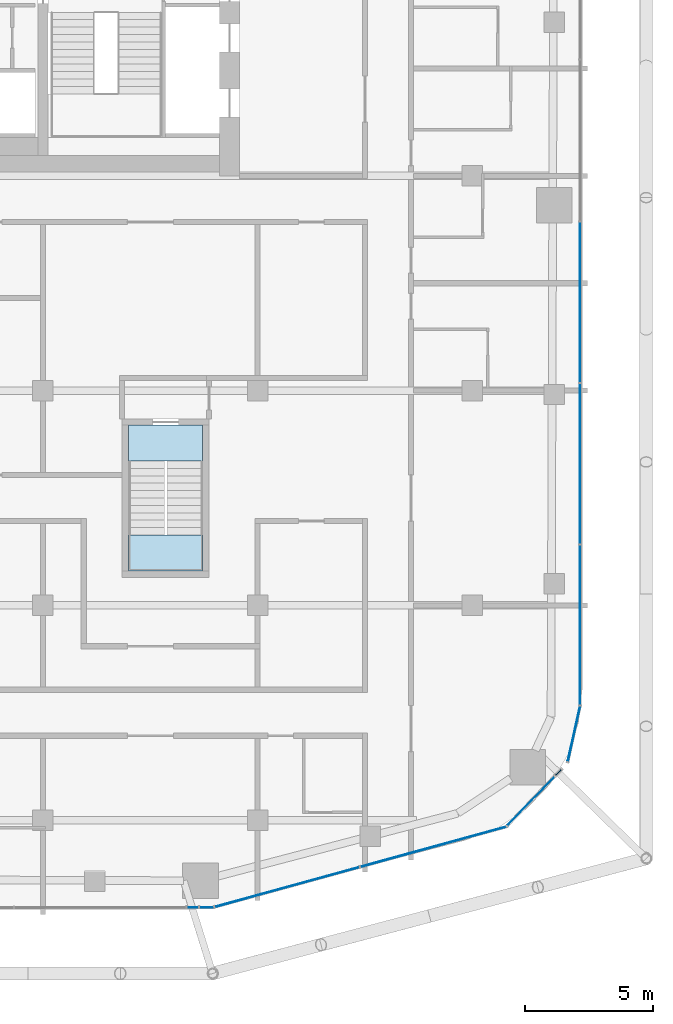
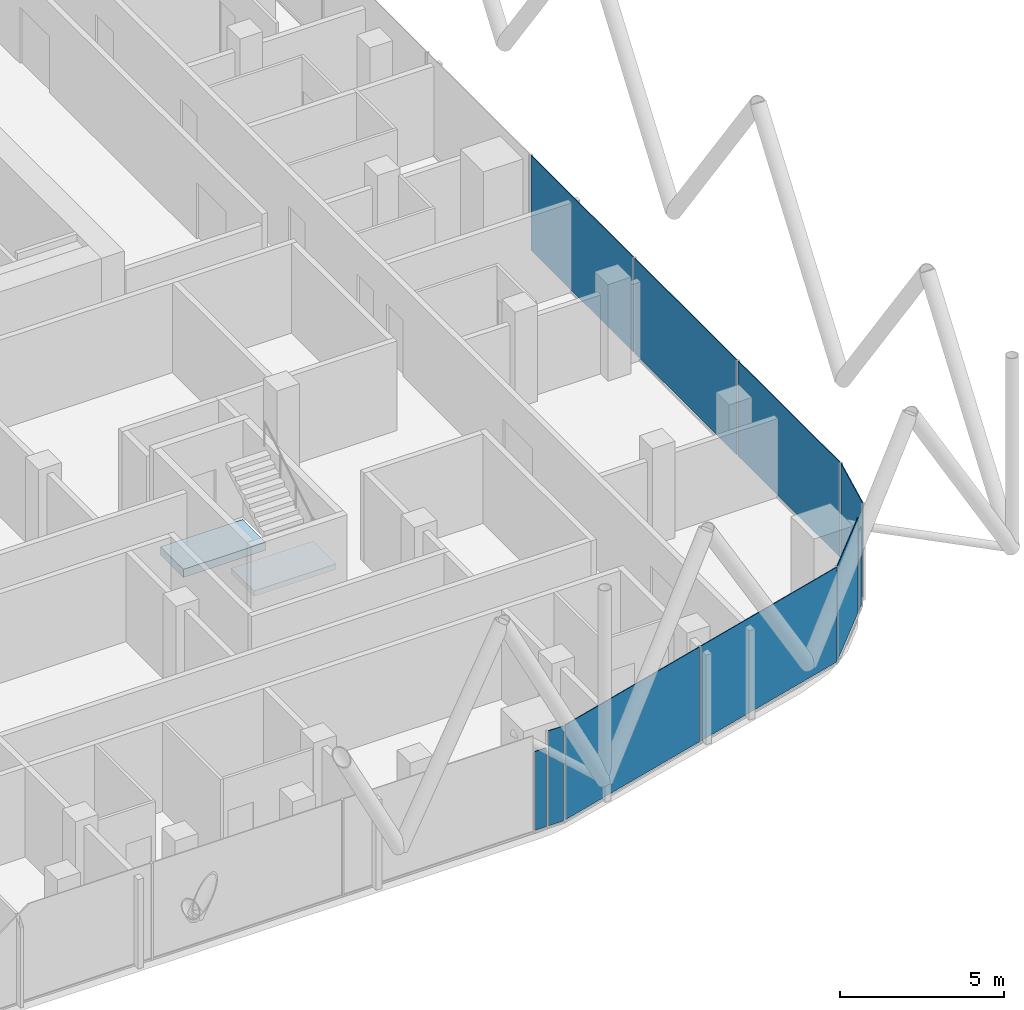
# One storey, part 16 of 28: 10 plates, 2 slabs, 8 elements without a shape of their own.
"""IFC4 building model written with IfcOpenShell, lengths in metres."""

from ifc_helpers import new_model, si_unit, direction, frame, origin, origin_2d, place, context, subcontext, project, spatial, polyline, rectangle, outline, extrude, material, layer, layer_set, type_object, element, aggregate, save


model = new_model("IFC4")

# Units and contexts
model_context = context("Model", 3, precision=1e-05, world=origin(), true_north=direction((0.0, 1.0)))
body_context = subcontext(model_context, "Body", "Model", "MODEL_VIEW")
ifc_project = project(units=[si_unit("LENGTHUNIT", "METRE"), si_unit("AREAUNIT", "SQUARE_METRE"), si_unit("VOLUMEUNIT", "CUBIC_METRE"), si_unit("PLANEANGLEUNIT", "RADIAN"), si_unit("MASSUNIT", "GRAM", prefix="KILO")], contexts=[model_context])

# Site, building, storey
site_placement = place(None, origin())
site = spatial("IfcSite", under=ifc_project, at=site_placement, CompositionType="ELEMENT")
building_placement = place(site_placement, origin())
building = spatial("IfcBuilding", under=site, at=building_placement, Name="Marenta Gate Hotel Tower", CompositionType="ELEMENT")
storey_placement = place(building_placement, frame((0.0, 0.0, 241.699951171875)))
storey = spatial("IfcBuildingStorey", under=building, at=storey_placement, Name="L57", CompositionType="ELEMENT", Elevation=241.699951171875)

# Curtain wall, plate
ifc_material_1 = material(Name="Tinted insulated glass in bronze anodised frame", Category="glass")
ifc_layer_1 = layer(ifc_material_1, 0.1201171875)
ifc_layer_set_1 = layer_set([ifc_layer_1], Name="Tinted insulated glass in bronze anodised frame")
curtain_wall_type = type_object("IfcCurtainWallType", Name="Tower unitised curtain wall CW1", PredefinedType="NOTDEFINED", material=ifc_layer_set_1)
curtain_wall_1_placement = place(storey_placement, origin())
curtain_wall_1 = element("IfcCurtainWall", 1, at=curtain_wall_1_placement, inside=storey, type_object=curtain_wall_type, Name="CW1 run G13", PredefinedType="NOTDEFINED")
ifc_material_2 = material(Name="Tinted insulated glass", Category="glass")
ifc_layer_2 = layer(ifc_material_2, 0.028076171875)
ifc_layer_set_2 = layer_set([ifc_layer_2], Name="Tinted insulated glass")
plate_type = type_object("IfcPlateType", Name="Glass panel CW1 28 mm tinted insulated unit", PredefinedType="CURTAIN_PANEL", material=ifc_layer_set_2)
plate_1_placement = place(storey_placement, frame((10.06201171875, -28.614013671875, 0.06005859375), z_axis=(0.0, 0.0, 1.0), x_axis=(0.999998577531, 0.001686693784, 0.0)))
plate_1 = element("IfcPlate", 2, at=plate_1_placement, type_object=plate_type, Name="CW1 panel 1.1", PredefinedType="CURTAIN_PANEL", context=body_context, shape_type="SweptSolid", body=[
    extrude(rectangle(XDim=0.414306640625, YDim=0.028076171875, at=origin_2d()), origin(), (0.0, 0.0, 1.0), 2.9404296875),
])
aggregate(curtain_wall_1, [plate_1])

curtain_wall_2_placement = place(storey_placement, origin())
curtain_wall_2 = element("IfcCurtainWall", 3, at=curtain_wall_2_placement, inside=storey, type_object=curtain_wall_type, Name="CW1 run G14", PredefinedType="NOTDEFINED")
plate_2_placement = place(storey_placement, frame((10.601318359375, -28.613037109375, 0.06005859375), z_axis=(0.0, 0.0, 1.0), x_axis=(0.999998631715, 0.001654257461, 0.0)))
plate_2 = element("IfcPlate", 4, at=plate_2_placement, type_object=plate_type, Name="CW1 panel 1.1", PredefinedType="CURTAIN_PANEL", context=body_context, shape_type="SweptSolid", body=[
    extrude(rectangle(XDim=0.54443359375, YDim=0.028076171875, at=origin_2d()), origin(), (0.0, 0.0, 1.0), 3.5400390625),
])
aggregate(curtain_wall_2, [plate_2])

# Curtain wall, plates
curtain_wall_3_placement = place(storey_placement, origin())
curtain_wall_3 = element("IfcCurtainWall", 5, at=curtain_wall_3_placement, inside=storey, type_object=curtain_wall_type, Name="CW1 run G15", PredefinedType="NOTDEFINED")
plate_3_placement = place(storey_placement, frame((13.7509765625, -27.82080078125, 0.06005859375), z_axis=(0.0, 0.0, 1.0), x_axis=(0.964167765212, 0.265293272675, 0.0)))
plate_3 = element("IfcPlate", 6, at=plate_3_placement, type_object=plate_type, Name="CW1 panel 1.1", PredefinedType="CURTAIN_PANEL", context=body_context, shape_type="SweptSolid", body=[
    extrude(rectangle(XDim=5.848388671875, YDim=0.028076171875, at=origin_2d()), origin(), (0.0, 0.0, 1.0), 3.5400390625),
])
plate_4_placement = place(storey_placement, frame((19.4765625, -26.245361328125, 0.06005859375), z_axis=(0.0, 0.0, 1.0), x_axis=(0.964167765212, 0.265293272675, 0.0)))
plate_4 = element("IfcPlate", 7, at=plate_4_placement, type_object=plate_type, Name="CW1 panel 2.1", PredefinedType="CURTAIN_PANEL", context=body_context, shape_type="SweptSolid", body=[
    extrude(rectangle(XDim=5.908203125, YDim=0.028076171875, at=origin_2d()), origin(), (0.0, 0.0, 1.0), 3.5400390625),
])
aggregate(curtain_wall_3, [plate_3, plate_4])

# Curtain wall, plate
curtain_wall_4_placement = place(storey_placement, origin())
curtain_wall_4 = element("IfcCurtainWall", 8, at=curtain_wall_4_placement, inside=storey, type_object=curtain_wall_type, Name="CW1 run G16", PredefinedType="NOTDEFINED")
plate_5_placement = place(storey_placement, frame((23.284912109375, -24.461669921875, 0.06005859375), z_axis=(0.0, 0.0, 1.0), x_axis=(0.692544874237, 0.721374796599, 0.0)))
plate_5 = element("IfcPlate", 9, at=plate_5_placement, type_object=plate_type, Name="CW1 panel 1.1", PredefinedType="CURTAIN_PANEL", context=body_context, shape_type="SweptSolid", body=[
    extrude(rectangle(XDim=2.652587890625, YDim=0.028076171875, at=origin_2d()), origin(), (0.0, 0.0, 1.0), 3.5400390625),
])
aggregate(curtain_wall_4, [plate_5])

curtain_wall_5_placement = place(storey_placement, origin())
curtain_wall_5 = element("IfcCurtainWall", 10, at=curtain_wall_5_placement, inside=storey, type_object=curtain_wall_type, Name="CW1 run G17", PredefinedType="NOTDEFINED")
plate_6_placement = place(storey_placement, frame((24.360107421875, -23.341552734375, 0.06005859375), z_axis=(0.0, 0.0, 1.0), x_axis=(0.692499661278, 0.721418199888, 0.0)))
plate_6 = element("IfcPlate", 11, at=plate_6_placement, type_object=plate_type, Name="CW1 panel 1.1", PredefinedType="CURTAIN_PANEL", context=body_context, shape_type="SweptSolid", body=[
    extrude(rectangle(XDim=0.3330078125, YDim=0.028076171875, at=origin_2d()), origin(), (0.0, 0.0, 1.0), 2.9404296875),
])
aggregate(curtain_wall_5, [plate_6])

curtain_wall_6_placement = place(storey_placement, origin())
curtain_wall_6 = element("IfcCurtainWall", 12, at=curtain_wall_6_placement, inside=storey, type_object=curtain_wall_type, Name="CW1 run G18", PredefinedType="NOTDEFINED")
plate_7_placement = place(storey_placement, frame((24.9736328125, -21.825927734375, 0.06005859375), z_axis=(0.0, 0.0, 1.0), x_axis=(0.216842096529, 0.97620669183, 0.0)))
plate_7 = element("IfcPlate", 13, at=plate_7_placement, type_object=plate_type, Name="CW1 panel 1.1", PredefinedType="CURTAIN_PANEL", context=body_context, shape_type="SweptSolid", body=[
    extrude(rectangle(XDim=2.216796875, YDim=0.028076171875, at=origin_2d()), origin(), (0.0, 0.0, 1.0), 3.5400390625),
])
aggregate(curtain_wall_6, [plate_7])

# Curtain wall, plates
curtain_wall_7_placement = place(storey_placement, origin())
curtain_wall_7 = element("IfcCurtainWall", 14, at=curtain_wall_7_placement, inside=storey, type_object=curtain_wall_type, Name="CW1 run G19", PredefinedType="NOTDEFINED")
plate_8_placement = place(storey_placement, frame((25.214111328125, -17.567626953125, 0.06005859375), z_axis=(0.0, 0.0, 1.0), x_axis=(0.0, 1.0, 0.0)))
plate_8 = element("IfcPlate", 15, at=plate_8_placement, type_object=plate_type, Name="CW1 panel 1.1", PredefinedType="CURTAIN_PANEL", context=body_context, shape_type="SweptSolid", body=[
    extrude(rectangle(XDim=6.232666015625, YDim=0.028076171875, at=origin_2d()), origin(), (0.0, 0.0, 1.0), 3.5400390625),
])
plate_9_placement = place(storey_placement, frame((25.214111328125, -11.260009765625, 0.06005859375), z_axis=(0.0, 0.0, 1.0), x_axis=(0.0, 1.0, 0.0)))
plate_9 = element("IfcPlate", 16, at=plate_9_placement, type_object=plate_type, Name="CW1 panel 2.1", PredefinedType="CURTAIN_PANEL", context=body_context, shape_type="SweptSolid", body=[
    extrude(rectangle(XDim=6.2626953125, YDim=0.028076171875, at=origin_2d()), origin(), (0.0, 0.0, 1.0), 3.5400390625),
])
plate_10_placement = place(storey_placement, frame((25.214111328125, -4.937255859375, 0.06005859375), z_axis=(0.0, 0.0, 1.0), x_axis=(0.0, 1.0, 0.0)))
plate_10 = element("IfcPlate", 17, at=plate_10_placement, type_object=plate_type, Name="CW1 panel 3.1", PredefinedType="CURTAIN_PANEL", context=body_context, shape_type="SweptSolid", body=[
    extrude(rectangle(XDim=6.2626953125, YDim=0.028076171875, at=origin_2d()), origin(), (0.0, 0.0, 1.0), 3.5400390625),
])
aggregate(curtain_wall_7, [plate_8, plate_9, plate_10])

# Stair, slab
ifc_material_3 = material(Name="Concrete C40", Category="concrete")
stair_type = type_object("IfcStairType", Name="Remote exit stair 1400 wide", PredefinedType="HALF_TURN_STAIR", material=ifc_material_3)
stair_placement = place(storey_placement, origin())
stair = element("IfcStair", 18, at=stair_placement, inside=storey, type_object=stair_type, Name="Exit stair RS-Z3-2", PredefinedType="HALF_TURN_STAIR")
ifc_material_4 = material(Name="Concrete C40", Category="concrete")
ifc_layer_3 = layer(ifc_material_4, 0.199951171875)
ifc_layer_set_3 = layer_set([ifc_layer_3], Name="Concrete C40")
slab_type_1 = type_object("IfcSlabType", Name="Remote stair landing 200", PredefinedType="LANDING", material=ifc_layer_set_3)
slab_1_placement = place(storey_placement, frame((0.0, 0.0, 1.60009765625)))
slab_1 = element("IfcSlab", 19, at=slab_1_placement, type_object=slab_type_1, Name="RL-200 RS-Z3-2 landing 1", PredefinedType="LANDING", context=body_context, shape_type="SweptSolid", body=[
    extrude(outline(polyline([(7.550048828125, -15.449951171875), (10.449951171875, -15.449951171875), (10.449951171875, -14.050048828125), (7.550048828125, -14.050048828125), (7.550048828125, -15.449951171875)])), origin(), (0.0, 0.0, 1.0), 0.199951171875),
])
aggregate(stair, [slab_1])

# Slab
ifc_material_5 = material(Name="Concrete C40", Category="concrete")
ifc_layer_4 = layer(ifc_material_5, 0.300048828125)
ifc_layer_set_4 = layer_set([ifc_layer_4], Name="Concrete C40")
slab_type_2 = type_object("IfcSlabType", Name="Stair floor landing slab 300", PredefinedType="FLOOR", material=ifc_layer_set_4)
slab_2_placement = place(storey_placement, frame((0.0, 0.0, -0.300048828125)))
element("IfcSlab", 20, at=slab_2_placement, inside=storey, type_object=slab_type_2, Name="L57-RS-Z3-2-CL", PredefinedType="FLOOR", context=body_context, shape_type="SweptSolid", body=[
    extrude(outline(polyline([(10.449951171875, -11.14990234375), (10.449951171875, -9.75), (7.550048828125, -9.75), (7.550048828125, -11.14990234375), (10.449951171875, -11.14990234375)])), origin(), (0.0, 0.0, 1.0), 0.300048828125),
])

save(model, "model.ifc")
